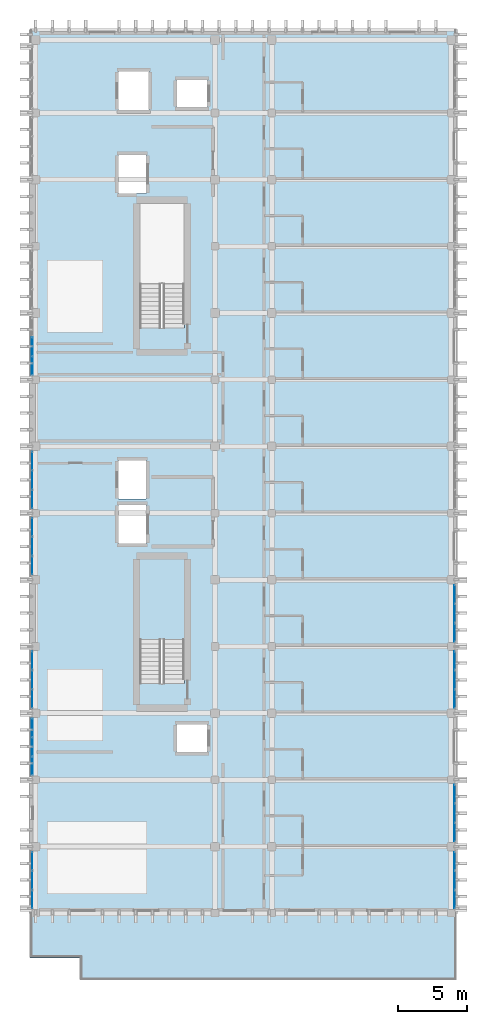
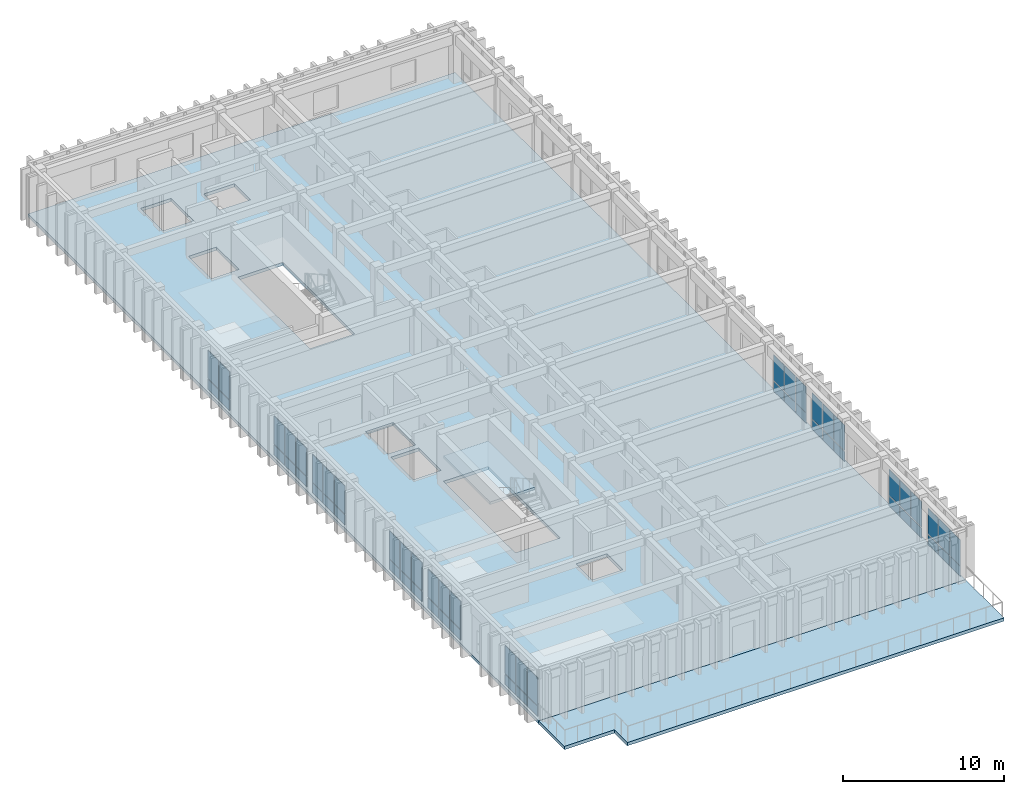
# One storey, part 39 of 50: 58 plates, 3 slabs, 11 elements without a shape of their own.
"""IFC4 building model written with IfcOpenShell, lengths in metres."""

from ifc_helpers import new_model, si_unit, direction, frame, origin, origin_2d, place, context, subcontext, project, spatial, polyline, rectangle, outline, extrude, material, layer, layer_set, type_object, element, aggregate, save


model = new_model("IFC4")

# Units and contexts
model_context = context("Model", 3, precision=1e-05, world=origin(), true_north=direction((0.0, 1.0)))
body_context = subcontext(model_context, "Body", "Model", "MODEL_VIEW")
ifc_project = project(units=[si_unit("LENGTHUNIT", "METRE"), si_unit("AREAUNIT", "SQUARE_METRE"), si_unit("VOLUMEUNIT", "CUBIC_METRE"), si_unit("PLANEANGLEUNIT", "RADIAN"), si_unit("MASSUNIT", "GRAM", prefix="KILO")], contexts=[model_context])

# Site, building, storey
site_placement = place(None, origin())
site = spatial("IfcSite", under=ifc_project, at=site_placement, CompositionType="ELEMENT")
building_placement = place(site_placement, origin())
building = spatial("IfcBuilding", under=site, at=building_placement, Name="Nakhvara Creek Congress Hotel", CompositionType="ELEMENT")
storey_placement = place(building_placement, frame((0.0, 0.0, 42.60009765625)))
storey = spatial("IfcBuildingStorey", under=building, at=storey_placement, Name="L10", CompositionType="ELEMENT", Elevation=42.60009765625)

# Curtain wall, plates
ifc_material_1 = material(Name="Bronze-anodised aluminium AW-6063-T6 and double-silver low-E glass", Category="aluminium")
ifc_layer_1 = layer(ifc_material_1, 0.199951171875)
ifc_layer_set_1 = layer_set([ifc_layer_1], Name="Bronze-anodised aluminium AW-6063-T6 and double-silver low-E glass")
curtain_wall_type = type_object("IfcCurtainWallType", Name="CW-HTL-UNIT", PredefinedType="USERDEFINED", material=ifc_layer_set_1)
curtain_wall_1_placement = place(storey_placement, origin())
curtain_wall_1 = element("IfcCurtainWall", 1, at=curtain_wall_1_placement, inside=storey, type_object=curtain_wall_type, Name="Curtain Wall CW314", ObjectType="UNITISED", PredefinedType="USERDEFINED")
ifc_material_2 = material(Name="Double-silver solar-control low-E insulated glass", Category="glass")
plate_type_1 = type_object("IfcPlateType", Name="PNL-GLZ-120X250", PredefinedType="CURTAIN_PANEL", material=ifc_material_2)
plate_1_placement = place(storey_placement, frame((179.60009765625, 66.1611328125, 0.06494140625), z_axis=(0.0, 0.0, 1.0), x_axis=(0.0, -1.0, 0.0)))
plate_1 = element("IfcPlate", 2, at=plate_1_placement, type_object=plate_type_1, Name="CW314 panel 1.1", PredefinedType="CURTAIN_PANEL", context=body_context, shape_type="SweptSolid", body=[
    extrude(rectangle(XDim=1.297607421875, YDim=0.028076171875, at=origin_2d()), origin(), (0.0, 0.0, 1.0), 0.75244140625),
])
plate_2_placement = place(storey_placement, frame((179.60009765625, 66.1611328125, 0.88232421875), z_axis=(0.0, 0.0, 1.0), x_axis=(0.0, -1.0, 0.0)))
plate_2 = element("IfcPlate", 3, at=plate_2_placement, type_object=plate_type_1, Name="CW314 panel 1.2", PredefinedType="CURTAIN_PANEL", context=body_context, shape_type="SweptSolid", body=[
    extrude(rectangle(XDim=1.297607421875, YDim=0.028076171875, at=origin_2d()), origin(), (0.0, 0.0, 1.0), 1.95458984375),
])
plate_3_placement = place(storey_placement, frame((179.60009765625, 64.782470703125, 0.06494140625), z_axis=(0.0, 0.0, 1.0), x_axis=(0.0, -1.0, 0.0)))
plate_3 = element("IfcPlate", 4, at=plate_3_placement, type_object=plate_type_1, Name="CW314 panel 2.1", PredefinedType="CURTAIN_PANEL", context=body_context, shape_type="SweptSolid", body=[
    extrude(rectangle(XDim=1.330078125, YDim=0.028076171875, at=origin_2d()), origin(), (0.0, 0.0, 1.0), 0.75244140625),
])
plate_4_placement = place(storey_placement, frame((179.60009765625, 64.782470703125, 0.88232421875), z_axis=(0.0, 0.0, 1.0), x_axis=(0.0, -1.0, 0.0)))
plate_4 = element("IfcPlate", 5, at=plate_4_placement, type_object=plate_type_1, Name="CW314 panel 2.2", PredefinedType="CURTAIN_PANEL", context=body_context, shape_type="SweptSolid", body=[
    extrude(rectangle(XDim=1.330078125, YDim=0.028076171875, at=origin_2d()), origin(), (0.0, 0.0, 1.0), 1.95458984375),
])
plate_5_placement = place(storey_placement, frame((179.60009765625, 63.40380859375, 0.06494140625), z_axis=(0.0, 0.0, 1.0), x_axis=(0.0, -1.0, 0.0)))
plate_5 = element("IfcPlate", 6, at=plate_5_placement, type_object=plate_type_1, Name="CW314 panel 3.1", PredefinedType="CURTAIN_PANEL", context=body_context, shape_type="SweptSolid", body=[
    extrude(rectangle(XDim=1.297607421875, YDim=0.028076171875, at=origin_2d()), origin(), (0.0, 0.0, 1.0), 0.75244140625),
])
plate_6_placement = place(storey_placement, frame((179.60009765625, 63.40380859375, 0.88232421875), z_axis=(0.0, 0.0, 1.0), x_axis=(0.0, -1.0, 0.0)))
plate_6 = element("IfcPlate", 7, at=plate_6_placement, type_object=plate_type_1, Name="CW314 panel 3.2", PredefinedType="CURTAIN_PANEL", context=body_context, shape_type="SweptSolid", body=[
    extrude(rectangle(XDim=1.297607421875, YDim=0.028076171875, at=origin_2d()), origin(), (0.0, 0.0, 1.0), 1.95458984375),
])
aggregate(curtain_wall_1, [plate_1, plate_2, plate_3, plate_4, plate_5, plate_6])

curtain_wall_2_placement = place(storey_placement, origin())
curtain_wall_2 = element("IfcCurtainWall", 8, at=curtain_wall_2_placement, inside=storey, type_object=curtain_wall_type, Name="Curtain Wall CW315", ObjectType="UNITISED", PredefinedType="USERDEFINED")
plate_7_placement = place(storey_placement, frame((149.199951171875, 63.40380859375, 0.06494140625), z_axis=(0.0, 0.0, 1.0), x_axis=(0.0, 1.0, 0.0)))
plate_7 = element("IfcPlate", 9, at=plate_7_placement, type_object=plate_type_1, Name="CW315 panel 1.1", PredefinedType="CURTAIN_PANEL", context=body_context, shape_type="SweptSolid", body=[
    extrude(rectangle(XDim=1.297607421875, YDim=0.028076171875, at=origin_2d()), origin(), (0.0, 0.0, 1.0), 0.75244140625),
])
plate_8_placement = place(storey_placement, frame((149.199951171875, 63.40380859375, 0.88232421875), z_axis=(0.0, 0.0, 1.0), x_axis=(0.0, 1.0, 0.0)))
plate_8 = element("IfcPlate", 10, at=plate_8_placement, type_object=plate_type_1, Name="CW315 panel 1.2", PredefinedType="CURTAIN_PANEL", context=body_context, shape_type="SweptSolid", body=[
    extrude(rectangle(XDim=1.297607421875, YDim=0.028076171875, at=origin_2d()), origin(), (0.0, 0.0, 1.0), 2.12451171875),
])
plate_9_placement = place(storey_placement, frame((149.199951171875, 64.782470703125, 0.06494140625), z_axis=(0.0, 0.0, 1.0), x_axis=(0.0, 1.0, 0.0)))
plate_9 = element("IfcPlate", 11, at=plate_9_placement, type_object=plate_type_1, Name="CW315 panel 2.1", PredefinedType="CURTAIN_PANEL", context=body_context, shape_type="SweptSolid", body=[
    extrude(rectangle(XDim=1.330078125, YDim=0.028076171875, at=origin_2d()), origin(), (0.0, 0.0, 1.0), 0.75244140625),
])
plate_10_placement = place(storey_placement, frame((149.199951171875, 64.782470703125, 0.88232421875), z_axis=(0.0, 0.0, 1.0), x_axis=(0.0, 1.0, 0.0)))
plate_10 = element("IfcPlate", 12, at=plate_10_placement, type_object=plate_type_1, Name="CW315 panel 2.2", PredefinedType="CURTAIN_PANEL", context=body_context, shape_type="SweptSolid", body=[
    extrude(rectangle(XDim=1.330078125, YDim=0.028076171875, at=origin_2d()), origin(), (0.0, 0.0, 1.0), 2.12451171875),
])
plate_11_placement = place(storey_placement, frame((149.199951171875, 66.1611328125, 0.06494140625), z_axis=(0.0, 0.0, 1.0), x_axis=(0.0, 1.0, 0.0)))
plate_11 = element("IfcPlate", 13, at=plate_11_placement, type_object=plate_type_1, Name="CW315 panel 3.1", PredefinedType="CURTAIN_PANEL", context=body_context, shape_type="SweptSolid", body=[
    extrude(rectangle(XDim=1.297607421875, YDim=0.028076171875, at=origin_2d()), origin(), (0.0, 0.0, 1.0), 0.75244140625),
])
plate_12_placement = place(storey_placement, frame((149.199951171875, 66.1611328125, 0.88232421875), z_axis=(0.0, 0.0, 1.0), x_axis=(0.0, 1.0, 0.0)))
plate_12 = element("IfcPlate", 14, at=plate_12_placement, type_object=plate_type_1, Name="CW315 panel 3.2", PredefinedType="CURTAIN_PANEL", context=body_context, shape_type="SweptSolid", body=[
    extrude(rectangle(XDim=1.297607421875, YDim=0.028076171875, at=origin_2d()), origin(), (0.0, 0.0, 1.0), 2.12451171875),
])
aggregate(curtain_wall_2, [plate_7, plate_8, plate_9, plate_10, plate_11, plate_12])

curtain_wall_3_placement = place(storey_placement, origin())
curtain_wall_3 = element("IfcCurtainWall", 15, at=curtain_wall_3_placement, inside=storey, type_object=curtain_wall_type, Name="Curtain Wall CW316", ObjectType="UNITISED", PredefinedType="USERDEFINED")
plate_13_placement = place(storey_placement, frame((179.60009765625, 70.996337890625, 0.06494140625), z_axis=(0.0, 0.0, 1.0), x_axis=(0.0, -1.0, 0.0)))
plate_13 = element("IfcPlate", 16, at=plate_13_placement, type_object=plate_type_1, Name="CW316 panel 1.1", PredefinedType="CURTAIN_PANEL", context=body_context, shape_type="SweptSolid", body=[
    extrude(rectangle(XDim=1.297607421875, YDim=0.028076171875, at=origin_2d()), origin(), (0.0, 0.0, 1.0), 0.75244140625),
])
plate_14_placement = place(storey_placement, frame((179.60009765625, 70.996337890625, 0.88232421875), z_axis=(0.0, 0.0, 1.0), x_axis=(0.0, -1.0, 0.0)))
plate_14 = element("IfcPlate", 17, at=plate_14_placement, type_object=plate_type_1, Name="CW316 panel 1.2", PredefinedType="CURTAIN_PANEL", context=body_context, shape_type="SweptSolid", body=[
    extrude(rectangle(XDim=1.297607421875, YDim=0.028076171875, at=origin_2d()), origin(), (0.0, 0.0, 1.0), 1.95458984375),
])
plate_15_placement = place(storey_placement, frame((179.60009765625, 69.617431640625, 0.06494140625), z_axis=(0.0, 0.0, 1.0), x_axis=(0.0, -1.0, 0.0)))
plate_15 = element("IfcPlate", 18, at=plate_15_placement, type_object=plate_type_1, Name="CW316 panel 2.1", PredefinedType="CURTAIN_PANEL", context=body_context, shape_type="SweptSolid", body=[
    extrude(rectangle(XDim=1.330078125, YDim=0.028076171875, at=origin_2d()), origin(), (0.0, 0.0, 1.0), 0.75244140625),
])
plate_16_placement = place(storey_placement, frame((179.60009765625, 69.617431640625, 0.88232421875), z_axis=(0.0, 0.0, 1.0), x_axis=(0.0, -1.0, 0.0)))
plate_16 = element("IfcPlate", 19, at=plate_16_placement, type_object=plate_type_1, Name="CW316 panel 2.2", PredefinedType="CURTAIN_PANEL", context=body_context, shape_type="SweptSolid", body=[
    extrude(rectangle(XDim=1.330078125, YDim=0.028076171875, at=origin_2d()), origin(), (0.0, 0.0, 1.0), 1.95458984375),
])
plate_17_placement = place(storey_placement, frame((179.60009765625, 68.23876953125, 0.06494140625), z_axis=(0.0, 0.0, 1.0), x_axis=(0.0, -1.0, 0.0)))
plate_17 = element("IfcPlate", 20, at=plate_17_placement, type_object=plate_type_1, Name="CW316 panel 3.1", PredefinedType="CURTAIN_PANEL", context=body_context, shape_type="SweptSolid", body=[
    extrude(rectangle(XDim=1.297607421875, YDim=0.028076171875, at=origin_2d()), origin(), (0.0, 0.0, 1.0), 0.75244140625),
])
plate_18_placement = place(storey_placement, frame((179.60009765625, 68.23876953125, 0.88232421875), z_axis=(0.0, 0.0, 1.0), x_axis=(0.0, -1.0, 0.0)))
plate_18 = element("IfcPlate", 21, at=plate_18_placement, type_object=plate_type_1, Name="CW316 panel 3.2", PredefinedType="CURTAIN_PANEL", context=body_context, shape_type="SweptSolid", body=[
    extrude(rectangle(XDim=1.297607421875, YDim=0.028076171875, at=origin_2d()), origin(), (0.0, 0.0, 1.0), 1.95458984375),
])
aggregate(curtain_wall_3, [plate_13, plate_14, plate_15, plate_16, plate_17, plate_18])

curtain_wall_4_placement = place(storey_placement, origin())
curtain_wall_4 = element("IfcCurtainWall", 22, at=curtain_wall_4_placement, inside=storey, type_object=curtain_wall_type, Name="Curtain Wall CW318", ObjectType="UNITISED", PredefinedType="USERDEFINED")
plate_19_placement = place(storey_placement, frame((179.60009765625, 80.59619140625, 0.06494140625), z_axis=(0.0, 0.0, 1.0), x_axis=(0.0, -1.0, 0.0)))
plate_19 = element("IfcPlate", 23, at=plate_19_placement, type_object=plate_type_1, Name="CW318 panel 1.1", PredefinedType="CURTAIN_PANEL", context=body_context, shape_type="SweptSolid", body=[
    extrude(rectangle(XDim=1.297607421875, YDim=0.028076171875, at=origin_2d()), origin(), (0.0, 0.0, 1.0), 0.75244140625),
])
plate_20_placement = place(storey_placement, frame((179.60009765625, 80.59619140625, 0.88232421875), z_axis=(0.0, 0.0, 1.0), x_axis=(0.0, -1.0, 0.0)))
plate_20 = element("IfcPlate", 24, at=plate_20_placement, type_object=plate_type_1, Name="CW318 panel 1.2", PredefinedType="CURTAIN_PANEL", context=body_context, shape_type="SweptSolid", body=[
    extrude(rectangle(XDim=1.297607421875, YDim=0.028076171875, at=origin_2d()), origin(), (0.0, 0.0, 1.0), 1.95458984375),
])
plate_21_placement = place(storey_placement, frame((179.60009765625, 79.217529296875, 0.06494140625), z_axis=(0.0, 0.0, 1.0), x_axis=(0.0, -1.0, 0.0)))
plate_21 = element("IfcPlate", 25, at=plate_21_placement, type_object=plate_type_1, Name="CW318 panel 2.1", PredefinedType="CURTAIN_PANEL", context=body_context, shape_type="SweptSolid", body=[
    extrude(rectangle(XDim=1.330078125, YDim=0.028076171875, at=origin_2d()), origin(), (0.0, 0.0, 1.0), 0.75244140625),
])
plate_22_placement = place(storey_placement, frame((179.60009765625, 79.217529296875, 0.88232421875), z_axis=(0.0, 0.0, 1.0), x_axis=(0.0, -1.0, 0.0)))
plate_22 = element("IfcPlate", 26, at=plate_22_placement, type_object=plate_type_1, Name="CW318 panel 2.2", PredefinedType="CURTAIN_PANEL", context=body_context, shape_type="SweptSolid", body=[
    extrude(rectangle(XDim=1.330078125, YDim=0.028076171875, at=origin_2d()), origin(), (0.0, 0.0, 1.0), 1.95458984375),
])
plate_23_placement = place(storey_placement, frame((179.60009765625, 77.8388671875, 0.06494140625), z_axis=(0.0, 0.0, 1.0), x_axis=(0.0, -1.0, 0.0)))
plate_23 = element("IfcPlate", 27, at=plate_23_placement, type_object=plate_type_1, Name="CW318 panel 3.1", PredefinedType="CURTAIN_PANEL", context=body_context, shape_type="SweptSolid", body=[
    extrude(rectangle(XDim=1.297607421875, YDim=0.028076171875, at=origin_2d()), origin(), (0.0, 0.0, 1.0), 0.75244140625),
])
plate_24_placement = place(storey_placement, frame((179.60009765625, 77.8388671875, 0.88232421875), z_axis=(0.0, 0.0, 1.0), x_axis=(0.0, -1.0, 0.0)))
plate_24 = element("IfcPlate", 28, at=plate_24_placement, type_object=plate_type_1, Name="CW318 panel 3.2", PredefinedType="CURTAIN_PANEL", context=body_context, shape_type="SweptSolid", body=[
    extrude(rectangle(XDim=1.297607421875, YDim=0.028076171875, at=origin_2d()), origin(), (0.0, 0.0, 1.0), 1.95458984375),
])
aggregate(curtain_wall_4, [plate_19, plate_20, plate_21, plate_22, plate_23, plate_24])

curtain_wall_5_placement = place(storey_placement, origin())
curtain_wall_5 = element("IfcCurtainWall", 29, at=curtain_wall_5_placement, inside=storey, type_object=curtain_wall_type, Name="Curtain Wall CW319", ObjectType="UNITISED", PredefinedType="USERDEFINED")
plate_25_placement = place(storey_placement, frame((149.199951171875, 77.8388671875, 0.06494140625), z_axis=(0.0, 0.0, 1.0), x_axis=(0.0, 1.0, 0.0)))
plate_25 = element("IfcPlate", 30, at=plate_25_placement, type_object=plate_type_1, Name="CW319 panel 1.1", PredefinedType="CURTAIN_PANEL", context=body_context, shape_type="SweptSolid", body=[
    extrude(rectangle(XDim=1.297607421875, YDim=0.028076171875, at=origin_2d()), origin(), (0.0, 0.0, 1.0), 0.75244140625),
])
plate_26_placement = place(storey_placement, frame((149.199951171875, 77.8388671875, 0.88232421875), z_axis=(0.0, 0.0, 1.0), x_axis=(0.0, 1.0, 0.0)))
plate_26 = element("IfcPlate", 31, at=plate_26_placement, type_object=plate_type_1, Name="CW319 panel 1.2", PredefinedType="CURTAIN_PANEL", context=body_context, shape_type="SweptSolid", body=[
    extrude(rectangle(XDim=1.297607421875, YDim=0.028076171875, at=origin_2d()), origin(), (0.0, 0.0, 1.0), 2.12451171875),
])
plate_27_placement = place(storey_placement, frame((149.199951171875, 79.217529296875, 0.06494140625), z_axis=(0.0, 0.0, 1.0), x_axis=(0.0, 1.0, 0.0)))
plate_27 = element("IfcPlate", 32, at=plate_27_placement, type_object=plate_type_1, Name="CW319 panel 2.1", PredefinedType="CURTAIN_PANEL", context=body_context, shape_type="SweptSolid", body=[
    extrude(rectangle(XDim=1.330078125, YDim=0.028076171875, at=origin_2d()), origin(), (0.0, 0.0, 1.0), 0.75244140625),
])
plate_28_placement = place(storey_placement, frame((149.199951171875, 79.217529296875, 0.88232421875), z_axis=(0.0, 0.0, 1.0), x_axis=(0.0, 1.0, 0.0)))
plate_28 = element("IfcPlate", 33, at=plate_28_placement, type_object=plate_type_1, Name="CW319 panel 2.2", PredefinedType="CURTAIN_PANEL", context=body_context, shape_type="SweptSolid", body=[
    extrude(rectangle(XDim=1.330078125, YDim=0.028076171875, at=origin_2d()), origin(), (0.0, 0.0, 1.0), 2.12451171875),
])
plate_29_placement = place(storey_placement, frame((149.199951171875, 80.59619140625, 0.06494140625), z_axis=(0.0, 0.0, 1.0), x_axis=(0.0, 1.0, 0.0)))
plate_29 = element("IfcPlate", 34, at=plate_29_placement, type_object=plate_type_1, Name="CW319 panel 3.1", PredefinedType="CURTAIN_PANEL", context=body_context, shape_type="SweptSolid", body=[
    extrude(rectangle(XDim=1.297607421875, YDim=0.028076171875, at=origin_2d()), origin(), (0.0, 0.0, 1.0), 0.75244140625),
])
plate_30_placement = place(storey_placement, frame((149.199951171875, 80.59619140625, 0.88232421875), z_axis=(0.0, 0.0, 1.0), x_axis=(0.0, 1.0, 0.0)))
plate_30 = element("IfcPlate", 35, at=plate_30_placement, type_object=plate_type_1, Name="CW319 panel 3.2", PredefinedType="CURTAIN_PANEL", context=body_context, shape_type="SweptSolid", body=[
    extrude(rectangle(XDim=1.297607421875, YDim=0.028076171875, at=origin_2d()), origin(), (0.0, 0.0, 1.0), 2.12451171875),
])
aggregate(curtain_wall_5, [plate_25, plate_26, plate_27, plate_28, plate_29, plate_30])

curtain_wall_6_placement = place(storey_placement, origin())
curtain_wall_6 = element("IfcCurtainWall", 36, at=curtain_wall_6_placement, inside=storey, type_object=curtain_wall_type, Name="Curtain Wall CW320", ObjectType="UNITISED", PredefinedType="USERDEFINED")
plate_31_placement = place(storey_placement, frame((179.60009765625, 85.361328125, 0.06494140625), z_axis=(0.0, 0.0, 1.0), x_axis=(0.0, -1.0, 0.0)))
plate_31 = element("IfcPlate", 37, at=plate_31_placement, type_object=plate_type_1, Name="CW320 panel 1.1", PredefinedType="CURTAIN_PANEL", context=body_context, shape_type="SweptSolid", body=[
    extrude(rectangle(XDim=1.297607421875, YDim=0.028076171875, at=origin_2d()), origin(), (0.0, 0.0, 1.0), 0.75244140625),
])
plate_32_placement = place(storey_placement, frame((179.60009765625, 85.361328125, 0.88232421875), z_axis=(0.0, 0.0, 1.0), x_axis=(0.0, -1.0, 0.0)))
plate_32 = element("IfcPlate", 38, at=plate_32_placement, type_object=plate_type_1, Name="CW320 panel 1.2", PredefinedType="CURTAIN_PANEL", context=body_context, shape_type="SweptSolid", body=[
    extrude(rectangle(XDim=1.297607421875, YDim=0.028076171875, at=origin_2d()), origin(), (0.0, 0.0, 1.0), 1.95458984375),
])
plate_33_placement = place(storey_placement, frame((179.60009765625, 83.982421875, 0.06494140625), z_axis=(0.0, 0.0, 1.0), x_axis=(0.0, -1.0, 0.0)))
plate_33 = element("IfcPlate", 39, at=plate_33_placement, type_object=plate_type_1, Name="CW320 panel 2.1", PredefinedType="CURTAIN_PANEL", context=body_context, shape_type="SweptSolid", body=[
    extrude(rectangle(XDim=1.330078125, YDim=0.028076171875, at=origin_2d()), origin(), (0.0, 0.0, 1.0), 0.75244140625),
])
plate_34_placement = place(storey_placement, frame((179.60009765625, 83.982421875, 0.88232421875), z_axis=(0.0, 0.0, 1.0), x_axis=(0.0, -1.0, 0.0)))
plate_34 = element("IfcPlate", 40, at=plate_34_placement, type_object=plate_type_1, Name="CW320 panel 2.2", PredefinedType="CURTAIN_PANEL", context=body_context, shape_type="SweptSolid", body=[
    extrude(rectangle(XDim=1.330078125, YDim=0.028076171875, at=origin_2d()), origin(), (0.0, 0.0, 1.0), 1.95458984375),
])
plate_35_placement = place(storey_placement, frame((179.60009765625, 82.603759765625, 0.06494140625), z_axis=(0.0, 0.0, 1.0), x_axis=(0.0, -1.0, 0.0)))
plate_35 = element("IfcPlate", 41, at=plate_35_placement, type_object=plate_type_1, Name="CW320 panel 3.1", PredefinedType="CURTAIN_PANEL", context=body_context, shape_type="SweptSolid", body=[
    extrude(rectangle(XDim=1.297607421875, YDim=0.028076171875, at=origin_2d()), origin(), (0.0, 0.0, 1.0), 0.75244140625),
])
plate_36_placement = place(storey_placement, frame((179.60009765625, 82.603759765625, 0.88232421875), z_axis=(0.0, 0.0, 1.0), x_axis=(0.0, -1.0, 0.0)))
plate_36 = element("IfcPlate", 42, at=plate_36_placement, type_object=plate_type_1, Name="CW320 panel 3.2", PredefinedType="CURTAIN_PANEL", context=body_context, shape_type="SweptSolid", body=[
    extrude(rectangle(XDim=1.297607421875, YDim=0.028076171875, at=origin_2d()), origin(), (0.0, 0.0, 1.0), 1.95458984375),
])
aggregate(curtain_wall_6, [plate_31, plate_32, plate_33, plate_34, plate_35, plate_36])

curtain_wall_7_placement = place(storey_placement, origin())
curtain_wall_7 = element("IfcCurtainWall", 43, at=curtain_wall_7_placement, inside=storey, type_object=curtain_wall_type, Name="Curtain Wall CW321", ObjectType="UNITISED", PredefinedType="USERDEFINED")
plate_37_placement = place(storey_placement, frame((149.199951171875, 87.438720703125, 0.06494140625), z_axis=(0.0, 0.0, 1.0), x_axis=(0.0, 1.0, 0.0)))
plate_37 = element("IfcPlate", 44, at=plate_37_placement, type_object=plate_type_1, Name="CW321 panel 1.1", PredefinedType="CURTAIN_PANEL", context=body_context, shape_type="SweptSolid", body=[
    extrude(rectangle(XDim=1.297607421875, YDim=0.028076171875, at=origin_2d()), origin(), (0.0, 0.0, 1.0), 0.75244140625),
])
plate_38_placement = place(storey_placement, frame((149.199951171875, 87.438720703125, 0.88232421875), z_axis=(0.0, 0.0, 1.0), x_axis=(0.0, 1.0, 0.0)))
plate_38 = element("IfcPlate", 45, at=plate_38_placement, type_object=plate_type_1, Name="CW321 panel 1.2", PredefinedType="CURTAIN_PANEL", context=body_context, shape_type="SweptSolid", body=[
    extrude(rectangle(XDim=1.297607421875, YDim=0.028076171875, at=origin_2d()), origin(), (0.0, 0.0, 1.0), 2.12451171875),
])
plate_39_placement = place(storey_placement, frame((149.199951171875, 88.8173828125, 0.06494140625), z_axis=(0.0, 0.0, 1.0), x_axis=(0.0, 1.0, 0.0)))
plate_39 = element("IfcPlate", 46, at=plate_39_placement, type_object=plate_type_1, Name="CW321 panel 2.1", PredefinedType="CURTAIN_PANEL", context=body_context, shape_type="SweptSolid", body=[
    extrude(rectangle(XDim=1.330078125, YDim=0.028076171875, at=origin_2d()), origin(), (0.0, 0.0, 1.0), 0.75244140625),
])
plate_40_placement = place(storey_placement, frame((149.199951171875, 88.8173828125, 0.88232421875), z_axis=(0.0, 0.0, 1.0), x_axis=(0.0, 1.0, 0.0)))
plate_40 = element("IfcPlate", 47, at=plate_40_placement, type_object=plate_type_1, Name="CW321 panel 2.2", PredefinedType="CURTAIN_PANEL", context=body_context, shape_type="SweptSolid", body=[
    extrude(rectangle(XDim=1.330078125, YDim=0.028076171875, at=origin_2d()), origin(), (0.0, 0.0, 1.0), 2.12451171875),
])
plate_41_placement = place(storey_placement, frame((149.199951171875, 90.1962890625, 0.06494140625), z_axis=(0.0, 0.0, 1.0), x_axis=(0.0, 1.0, 0.0)))
plate_41 = element("IfcPlate", 48, at=plate_41_placement, type_object=plate_type_1, Name="CW321 panel 3.1", PredefinedType="CURTAIN_PANEL", context=body_context, shape_type="SweptSolid", body=[
    extrude(rectangle(XDim=1.297607421875, YDim=0.028076171875, at=origin_2d()), origin(), (0.0, 0.0, 1.0), 0.75244140625),
])
plate_42_placement = place(storey_placement, frame((149.199951171875, 90.1962890625, 0.88232421875), z_axis=(0.0, 0.0, 1.0), x_axis=(0.0, 1.0, 0.0)))
plate_42 = element("IfcPlate", 49, at=plate_42_placement, type_object=plate_type_1, Name="CW321 panel 3.2", PredefinedType="CURTAIN_PANEL", context=body_context, shape_type="SweptSolid", body=[
    extrude(rectangle(XDim=1.297607421875, YDim=0.028076171875, at=origin_2d()), origin(), (0.0, 0.0, 1.0), 2.12451171875),
])
aggregate(curtain_wall_7, [plate_37, plate_38, plate_39, plate_40, plate_41, plate_42])

curtain_wall_8_placement = place(storey_placement, origin())
curtain_wall_8 = element("IfcCurtainWall", 50, at=curtain_wall_8_placement, inside=storey, type_object=curtain_wall_type, Name="Curtain Wall CW323", ObjectType="UNITISED", PredefinedType="USERDEFINED")
plate_43_placement = place(storey_placement, frame((149.199951171875, 92.203857421875, 0.06494140625), z_axis=(0.0, 0.0, 1.0), x_axis=(0.0, 1.0, 0.0)))
plate_43 = element("IfcPlate", 51, at=plate_43_placement, type_object=plate_type_1, Name="CW323 panel 1.1", PredefinedType="CURTAIN_PANEL", context=body_context, shape_type="SweptSolid", body=[
    extrude(rectangle(XDim=1.297607421875, YDim=0.028076171875, at=origin_2d()), origin(), (0.0, 0.0, 1.0), 0.75244140625),
])
plate_44_placement = place(storey_placement, frame((149.199951171875, 92.203857421875, 0.88232421875), z_axis=(0.0, 0.0, 1.0), x_axis=(0.0, 1.0, 0.0)))
plate_44 = element("IfcPlate", 52, at=plate_44_placement, type_object=plate_type_1, Name="CW323 panel 1.2", PredefinedType="CURTAIN_PANEL", context=body_context, shape_type="SweptSolid", body=[
    extrude(rectangle(XDim=1.297607421875, YDim=0.028076171875, at=origin_2d()), origin(), (0.0, 0.0, 1.0), 2.12451171875),
])
plate_45_placement = place(storey_placement, frame((149.199951171875, 93.58251953125, 0.06494140625), z_axis=(0.0, 0.0, 1.0), x_axis=(0.0, 1.0, 0.0)))
plate_45 = element("IfcPlate", 53, at=plate_45_placement, type_object=plate_type_1, Name="CW323 panel 2.1", PredefinedType="CURTAIN_PANEL", context=body_context, shape_type="SweptSolid", body=[
    extrude(rectangle(XDim=1.330078125, YDim=0.028076171875, at=origin_2d()), origin(), (0.0, 0.0, 1.0), 0.75244140625),
])
plate_46_placement = place(storey_placement, frame((149.199951171875, 93.58251953125, 0.88232421875), z_axis=(0.0, 0.0, 1.0), x_axis=(0.0, 1.0, 0.0)))
plate_46 = element("IfcPlate", 54, at=plate_46_placement, type_object=plate_type_1, Name="CW323 panel 2.2", PredefinedType="CURTAIN_PANEL", context=body_context, shape_type="SweptSolid", body=[
    extrude(rectangle(XDim=1.330078125, YDim=0.028076171875, at=origin_2d()), origin(), (0.0, 0.0, 1.0), 2.12451171875),
])
plate_47_placement = place(storey_placement, frame((149.199951171875, 94.961181640625, 0.06494140625), z_axis=(0.0, 0.0, 1.0), x_axis=(0.0, 1.0, 0.0)))
plate_47 = element("IfcPlate", 55, at=plate_47_placement, type_object=plate_type_1, Name="CW323 panel 3.1", PredefinedType="CURTAIN_PANEL", context=body_context, shape_type="SweptSolid", body=[
    extrude(rectangle(XDim=1.297607421875, YDim=0.028076171875, at=origin_2d()), origin(), (0.0, 0.0, 1.0), 0.75244140625),
])
plate_48_placement = place(storey_placement, frame((149.199951171875, 94.961181640625, 0.88232421875), z_axis=(0.0, 0.0, 1.0), x_axis=(0.0, 1.0, 0.0)))
plate_48 = element("IfcPlate", 56, at=plate_48_placement, type_object=plate_type_1, Name="CW323 panel 3.2", PredefinedType="CURTAIN_PANEL", context=body_context, shape_type="SweptSolid", body=[
    extrude(rectangle(XDim=1.297607421875, YDim=0.028076171875, at=origin_2d()), origin(), (0.0, 0.0, 1.0), 2.12451171875),
])
aggregate(curtain_wall_8, [plate_43, plate_44, plate_45, plate_46, plate_47, plate_48])

curtain_wall_9_placement = place(storey_placement, origin())
curtain_wall_9 = element("IfcCurtainWall", 57, at=curtain_wall_9_placement, inside=storey, type_object=curtain_wall_type, Name="Curtain Wall CW317", ObjectType="UNITISED", PredefinedType="USERDEFINED")
ifc_material_3 = material(Name="Back-insulated bronze spandrel glass panel", Category="glass")
plate_type_2 = type_object("IfcPlateType", Name="PNL-SPN-120X080", PredefinedType="CURTAIN_PANEL", material=ifc_material_3)
plate_49_placement = place(storey_placement, frame((149.199951171875, 73.003662109375, 0.06494140625), z_axis=(0.0, 0.0, 1.0), x_axis=(0.0, 1.0, 0.0)))
plate_49 = element("IfcPlate", 58, at=plate_49_placement, type_object=plate_type_2, Name="CW317 panel 1.1", PredefinedType="CURTAIN_PANEL", context=body_context, shape_type="SweptSolid", body=[
    extrude(rectangle(XDim=1.297607421875, YDim=0.0419921875, at=origin_2d()), origin(), (0.0, 0.0, 1.0), 0.75244140625),
])
plate_50_placement = place(storey_placement, frame((149.199951171875, 73.003662109375, 0.88232421875), z_axis=(0.0, 0.0, 1.0), x_axis=(0.0, 1.0, 0.0)))
plate_50 = element("IfcPlate", 59, at=plate_50_placement, type_object=plate_type_2, Name="CW317 panel 1.2", PredefinedType="CURTAIN_PANEL", context=body_context, shape_type="SweptSolid", body=[
    extrude(rectangle(XDim=1.297607421875, YDim=0.0419921875, at=origin_2d()), origin(), (0.0, 0.0, 1.0), 2.12451171875),
])
plate_51_placement = place(storey_placement, frame((149.199951171875, 74.382568359375, 0.06494140625), z_axis=(0.0, 0.0, 1.0), x_axis=(0.0, 1.0, 0.0)))
plate_51 = element("IfcPlate", 60, at=plate_51_placement, type_object=plate_type_2, Name="CW317 panel 2.1", PredefinedType="CURTAIN_PANEL", context=body_context, shape_type="SweptSolid", body=[
    extrude(rectangle(XDim=1.330078125, YDim=0.0419921875, at=origin_2d()), origin(), (0.0, 0.0, 1.0), 0.75244140625),
])
plate_52_placement = place(storey_placement, frame((149.199951171875, 74.382568359375, 0.88232421875), z_axis=(0.0, 0.0, 1.0), x_axis=(0.0, 1.0, 0.0)))
plate_52 = element("IfcPlate", 61, at=plate_52_placement, type_object=plate_type_2, Name="CW317 panel 2.2", PredefinedType="CURTAIN_PANEL", context=body_context, shape_type="SweptSolid", body=[
    extrude(rectangle(XDim=1.330078125, YDim=0.0419921875, at=origin_2d()), origin(), (0.0, 0.0, 1.0), 2.12451171875),
])
plate_53_placement = place(storey_placement, frame((149.199951171875, 75.76123046875, 0.06494140625), z_axis=(0.0, 0.0, 1.0), x_axis=(0.0, 1.0, 0.0)))
plate_53 = element("IfcPlate", 62, at=plate_53_placement, type_object=plate_type_2, Name="CW317 panel 3.1", PredefinedType="CURTAIN_PANEL", context=body_context, shape_type="SweptSolid", body=[
    extrude(rectangle(XDim=1.297607421875, YDim=0.0419921875, at=origin_2d()), origin(), (0.0, 0.0, 1.0), 0.75244140625),
])
plate_54_placement = place(storey_placement, frame((149.199951171875, 75.76123046875, 0.88232421875), z_axis=(0.0, 0.0, 1.0), x_axis=(0.0, 1.0, 0.0)))
plate_54 = element("IfcPlate", 63, at=plate_54_placement, type_object=plate_type_2, Name="CW317 panel 3.2", PredefinedType="CURTAIN_PANEL", context=body_context, shape_type="SweptSolid", body=[
    extrude(rectangle(XDim=1.297607421875, YDim=0.0419921875, at=origin_2d()), origin(), (0.0, 0.0, 1.0), 2.12451171875),
])
aggregate(curtain_wall_9, [plate_49, plate_50, plate_51, plate_52, plate_53, plate_54])

curtain_wall_10_placement = place(storey_placement, origin())
curtain_wall_10 = element("IfcCurtainWall", 64, at=curtain_wall_10_placement, inside=storey, type_object=curtain_wall_type, Name="Curtain Wall CW325", ObjectType="UNITISED", PredefinedType="USERDEFINED")
plate_55_placement = place(storey_placement, frame((149.199951171875, 101.8037109375, 0.06494140625), z_axis=(0.0, 0.0, 1.0), x_axis=(0.0, 1.0, 0.0)))
plate_55 = element("IfcPlate", 65, at=plate_55_placement, type_object=plate_type_2, Name="CW325 panel 1.1", PredefinedType="CURTAIN_PANEL", context=body_context, shape_type="SweptSolid", body=[
    extrude(rectangle(XDim=1.297607421875, YDim=0.0419921875, at=origin_2d()), origin(), (0.0, 0.0, 1.0), 0.75244140625),
])
plate_56_placement = place(storey_placement, frame((149.199951171875, 101.8037109375, 0.88232421875), z_axis=(0.0, 0.0, 1.0), x_axis=(0.0, 1.0, 0.0)))
plate_56 = element("IfcPlate", 66, at=plate_56_placement, type_object=plate_type_2, Name="CW325 panel 1.2", PredefinedType="CURTAIN_PANEL", context=body_context, shape_type="SweptSolid", body=[
    extrude(rectangle(XDim=1.297607421875, YDim=0.0419921875, at=origin_2d()), origin(), (0.0, 0.0, 1.0), 2.12451171875),
])
plate_57_placement = place(storey_placement, frame((149.199951171875, 103.1826171875, 0.06494140625), z_axis=(0.0, 0.0, 1.0), x_axis=(0.0, 1.0, 0.0)))
plate_57 = element("IfcPlate", 67, at=plate_57_placement, type_object=plate_type_2, Name="CW325 panel 2.1", PredefinedType="CURTAIN_PANEL", context=body_context, shape_type="SweptSolid", body=[
    extrude(rectangle(XDim=1.330078125, YDim=0.0419921875, at=origin_2d()), origin(), (0.0, 0.0, 1.0), 0.75244140625),
])
plate_58_placement = place(storey_placement, frame((149.199951171875, 103.1826171875, 0.88232421875), z_axis=(0.0, 0.0, 1.0), x_axis=(0.0, 1.0, 0.0)))
plate_58 = element("IfcPlate", 68, at=plate_58_placement, type_object=plate_type_2, Name="CW325 panel 2.2", PredefinedType="CURTAIN_PANEL", context=body_context, shape_type="SweptSolid", body=[
    extrude(rectangle(XDim=1.330078125, YDim=0.0419921875, at=origin_2d()), origin(), (0.0, 0.0, 1.0), 2.12451171875),
])
aggregate(curtain_wall_10, [plate_55, plate_56, plate_57, plate_58])

# Slabs
ifc_material_4 = material(Name="Concrete C40/50", Category="concrete")
ifc_layer_2 = layer(ifc_material_4, 0.25)
ifc_layer_set_2 = layer_set([ifc_layer_2], Name="Concrete C40/50")
slab_type_1 = type_object("IfcSlabType", Name="SL-EXT-250", PredefinedType="FLOOR", material=ifc_layer_set_2)
slab_1_placement = place(storey_placement, frame((0.0, 0.0, -0.25)))
element("IfcSlab", 69, at=slab_1_placement, inside=storey, type_object=slab_type_1, Name="Outdoor Terrace Slab SLB-L10-TER-S", PredefinedType="FLOOR", context=body_context, shape_type="SweptSolid", body=[
    extrude(outline(polyline([(152.64990234375, 57.60009765625), (179.75, 57.60009765625), (179.75, 62.39990234375), (149.050048828125, 62.39990234375), (149.050048828125, 59.199951171875), (152.64990234375, 59.199951171875), (152.64990234375, 57.60009765625)])), origin(), (0.0, 0.0, 1.0), 0.25),
])
ifc_layer_3 = layer(ifc_material_4, 0.239990234375)
ifc_layer_set_3 = layer_set([ifc_layer_3], Name="Concrete C40/50")
slab_type_2 = type_object("IfcSlabType", Name="SL-FLR-240", PredefinedType="FLOOR", material=ifc_layer_set_3)
slab_2_placement = place(storey_placement, frame((0.0, 0.0, -0.239990234375)))
element("IfcSlab", 70, at=slab_2_placement, inside=storey, type_object=slab_type_2, Name="Structural Slab SLB-L10-V5", PredefinedType="FLOOR", context=body_context, shape_type="SweptSolid", body=[
    extrude(outline(polyline([(149.050048828125, 126.0), (179.75, 126.0), (179.75, 62.39990234375), (149.050048828125, 62.39990234375), (149.050048828125, 126.0)]), holes=[polyline([(161.800048828125, 74.0), (161.800048828125, 76.0), (159.60009765625, 76.0), (159.60009765625, 74.0), (161.800048828125, 74.0)]), polyline([(160.14990234375, 87.89990234375), (156.919921875, 87.89990234375), (156.919921875, 78.93994140625), (160.14990234375, 78.93994140625), (160.14990234375, 87.89990234375)]), polyline([(157.39990234375, 89.0), (157.39990234375, 91.800048828125), (155.39990234375, 91.800048828125), (155.39990234375, 89.0), (157.39990234375, 89.0)]), polyline([(157.39990234375, 92.199951171875), (157.39990234375, 95.0), (155.39990234375, 95.0), (155.39990234375, 92.199951171875), (157.39990234375, 92.199951171875)]), polyline([(160.14990234375, 113.5), (156.919921875, 113.5), (156.919921875, 104.5400390625), (160.14990234375, 104.5400390625), (160.14990234375, 113.5)]), polyline([(157.39990234375, 114.199951171875), (157.39990234375, 117.0), (155.39990234375, 117.0), (155.39990234375, 114.199951171875), (157.39990234375, 114.199951171875)]), polyline([(161.800048828125, 120.39990234375), (161.800048828125, 122.39990234375), (159.60009765625, 122.39990234375), (159.60009765625, 120.39990234375), (161.800048828125, 120.39990234375)]), polyline([(157.60009765625, 120.199951171875), (157.60009765625, 123.0), (155.39990234375, 123.0), (155.39990234375, 120.199951171875), (157.60009765625, 120.199951171875)])]), origin(), (0.0, 0.0, 1.0), 0.239990234375),
])

# Stair, slab
stair_type = type_object("IfcStairType", Name="ST-CORE-160", PredefinedType="HALF_TURN_STAIR", material=ifc_material_4)
stair_placement = place(storey_placement, origin())
stair = element("IfcStair", 71, at=stair_placement, inside=storey, type_object=stair_type, Name="L10 Protected Exit Stair ST01", PredefinedType="HALF_TURN_STAIR")
ifc_layer_4 = layer(ifc_material_4, 0.199951171875)
ifc_layer_set_4 = layer_set([ifc_layer_4], Name="Concrete C40/50")
slab_type_3 = type_object("IfcSlabType", Name="SL-LAND-200", PredefinedType="LANDING", material=ifc_layer_set_4)
slab_3_placement = place(storey_placement, frame((0.0, 0.0, 1.75)))
slab_3 = element("IfcSlab", 72, at=slab_3_placement, type_object=slab_type_3, Name="ST01 landing 1", PredefinedType="LANDING", context=body_context, shape_type="SweptSolid", body=[
    extrude(outline(polyline([(160.14990234375, 82.090087890625), (160.14990234375, 87.89990234375), (156.919921875, 87.89990234375), (156.919921875, 82.090087890625), (160.14990234375, 82.090087890625)])), origin(), (0.0, 0.0, 1.0), 0.199951171875),
])
aggregate(stair, [slab_3])

save(model, "model.ifc")
